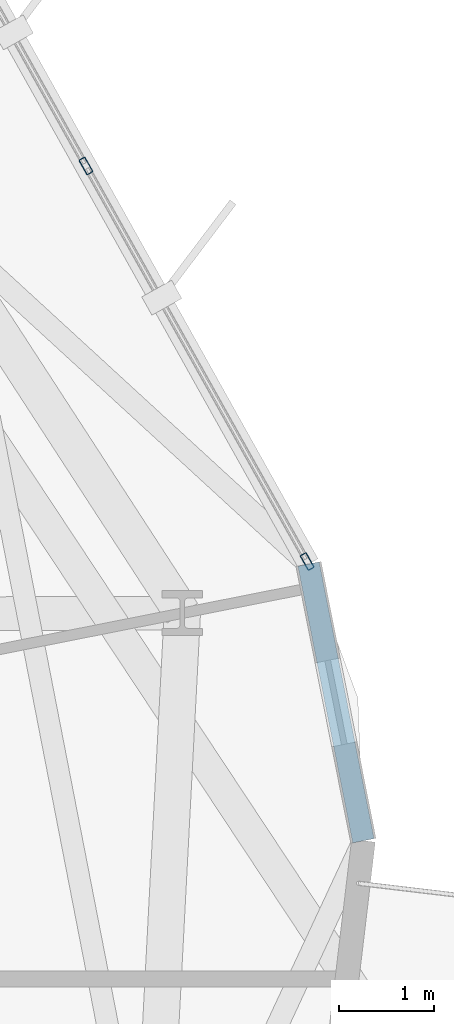
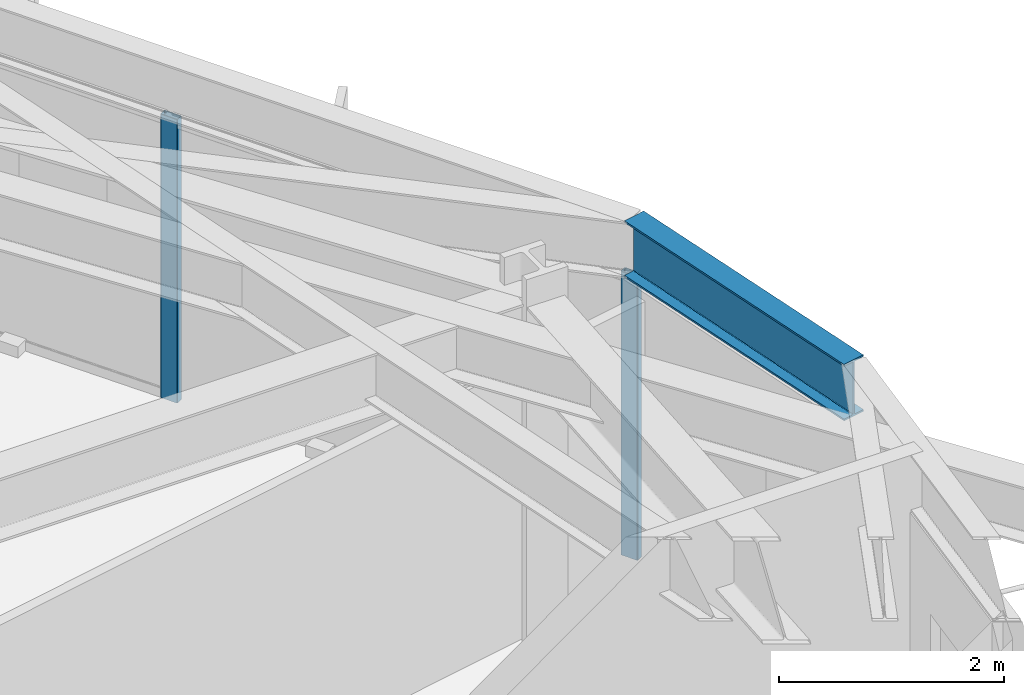
# One storey, part 11 of 22: 2 members, 1 beam, 1 element without a shape of its own.
"""IFC4 building model written with IfcOpenShell, lengths in metres."""

from ifc_helpers import new_model, si_unit, direction, frame, origin, origin_2d, place, context, subcontext, project, spatial, hollow_rectangle, i_section, extrude, material, layer, layer_set, material_profile, profile_set, type_object, element, aggregate, save


model = new_model("IFC4")

# Units and contexts
model_context = context("Model", 3, precision=1e-05, world=origin(), true_north=direction((0.0, 1.0)))
body_context = subcontext(model_context, "Body", "Model", "MODEL_VIEW")
ifc_project = project(units=[si_unit("LENGTHUNIT", "METRE"), si_unit("AREAUNIT", "SQUARE_METRE"), si_unit("VOLUMEUNIT", "CUBIC_METRE"), si_unit("PLANEANGLEUNIT", "RADIAN"), si_unit("MASSUNIT", "GRAM", prefix="KILO")], contexts=[model_context])

# Site, building, storey
site_placement = place(None, origin())
site = spatial("IfcSite", under=ifc_project, at=site_placement, CompositionType="ELEMENT")
building_placement = place(site_placement, origin())
building = spatial("IfcBuilding", under=site, at=building_placement, Name="Soratama Intermodal Tower", CompositionType="ELEMENT")
storey_placement = place(building_placement, frame((0.0, 0.0, 70.60009765625)))
storey = spatial("IfcBuildingStorey", under=building, at=storey_placement, Name="L16", CompositionType="ELEMENT", Elevation=70.60009765625)

# Beam
ifc_material_1 = material(Name="Structural steel ASTM A992 Grade 50", Category="steel")
ifc_material_profile_1 = material_profile(ifc_material_1, i_section(OverallWidth=0.22900390625, OverallDepth=0.612060546875, WebThickness=0.011962890625, FlangeThickness=0.01953125, FilletRadius=0.012939453125, at=origin_2d()), Name="W24X84")
ifc_profile_set_1 = profile_set([ifc_material_profile_1], Name="Structural steel ASTM A992 Grade 50")
beam_type = type_object("IfcBeamType", Name="BM-SPN-W24X84", PredefinedType="SPANDREL", material=ifc_profile_set_1)
beam_placement = place(storey_placement, frame((64.986083984375, 27.452880859375, 3.393798828125), z_axis=(-0.194596210354, 0.980883435947, 0.0), x_axis=(-0.980883435947, -0.194596210354, 0.0)))
element("IfcBeam", 1, at=beam_placement, inside=storey, type_object=beam_type, Name="BS-L16-CRN10", PredefinedType="SPANDREL", context=body_context, shape_type="SweptSolid", body=[
    extrude(i_section(OverallWidth=0.22900390625, OverallDepth=0.612060546875, WebThickness=0.011962890625, FlangeThickness=0.01953125, FilletRadius=0.012939453125, at=origin_2d()), origin(), (0.0, 0.0, 1.0), 2.9658203125),
])

# Curtain wall, members
ifc_material_2 = material(Name="Double-glazed aluminium curtain wall", Category="aluminium")
ifc_layer = layer(ifc_material_2, 0.159912109375)
ifc_layer_set = layer_set([ifc_layer], Name="Double-glazed aluminium curtain wall")
curtain_wall_type = type_object("IfcCurtainWallType", Name="CW-SYS-2", PredefinedType="NOTDEFINED", material=ifc_layer_set)
curtain_wall_placement = place(storey_placement, origin())
curtain_wall = element("IfcCurtainWall", 2, at=curtain_wall_placement, inside=storey, type_object=curtain_wall_type, Name="L16 Faceted Curtain Wall F01", PredefinedType="NOTDEFINED")
ifc_material_3 = material(Name="Anodised aluminium AA 6063-T6", Category="aluminium")
ifc_material_profile_2 = material_profile(ifc_material_3, hollow_rectangle(XDim=0.074951171875, YDim=0.179931640625, WallThickness=0.006103515625, InnerFilletRadius=0.006103515625, OuterFilletRadius=0.011962890625, at=origin_2d()), Name="CWM180X75X6")
ifc_profile_set_2 = profile_set([ifc_material_profile_2], Name="Anodised aluminium AA 6063-T6")
member_type = type_object("IfcMemberType", Name="MT-CWM-2", PredefinedType="MULLION", material=ifc_profile_set_2)
member_1_placement = place(storey_placement, frame((64.39453125, 30.388427734375, 0.0), z_axis=(0.0, 0.0, 1.0), x_axis=(-0.872755737534, -0.488157169978, 0.0)))
member_1 = element("IfcMember", 3, at=member_1_placement, type_object=member_type, Name="CW-2 mullion 1", PredefinedType="MULLION", context=body_context, shape_type="SweptSolid", body=[
    extrude(hollow_rectangle(XDim=0.074951171875, YDim=0.179931640625, WallThickness=0.006103515625, InnerFilletRadius=0.006103515625, OuterFilletRadius=0.011962890625, at=origin_2d()), origin(), (0.0, 0.0, 1.0), 3.078857421875),
])
member_2_placement = place(storey_placement, frame((62.068359375, 34.547119140625, 0.0), z_axis=(0.0, 0.0, 1.0), x_axis=(-0.872755737534, -0.488157169978, 0.0)))
member_2 = element("IfcMember", 4, at=member_2_placement, type_object=member_type, Name="CW-2 mullion 2", PredefinedType="MULLION", context=body_context, shape_type="SweptSolid", body=[
    extrude(hollow_rectangle(XDim=0.074951171875, YDim=0.179931640625, WallThickness=0.006103515625, InnerFilletRadius=0.006103515625, OuterFilletRadius=0.011962890625, at=origin_2d()), origin(), (0.0, 0.0, 1.0), 3.078857421875),
])
aggregate(curtain_wall, [member_1, member_2])

save(model, "model.ifc")
